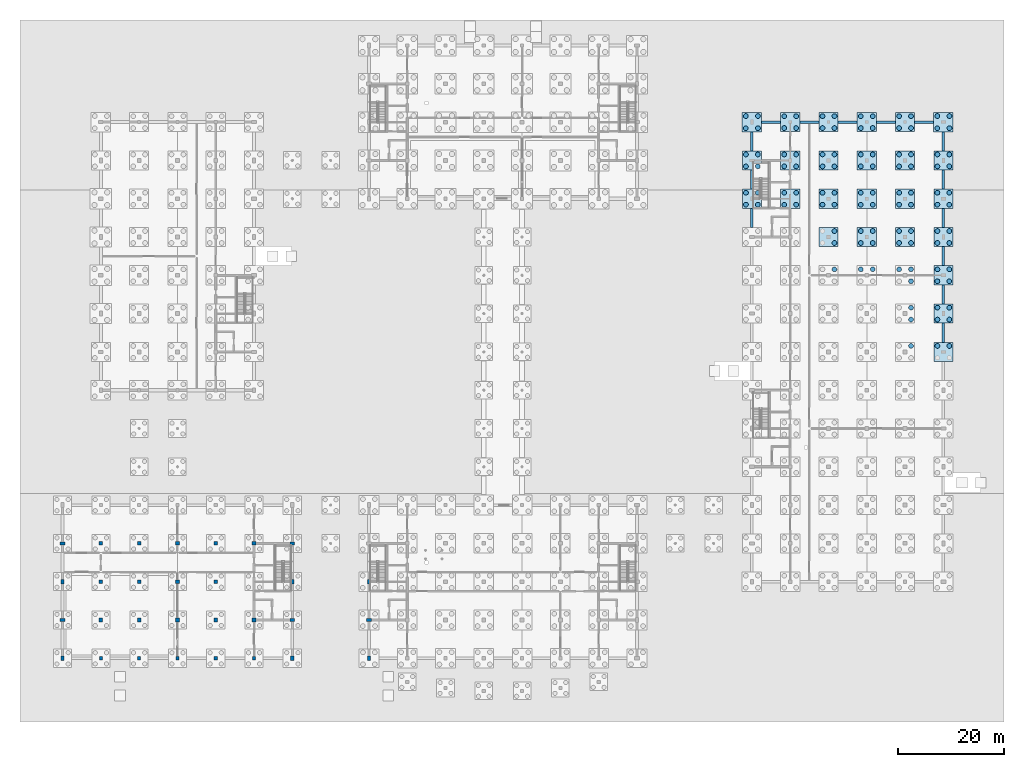
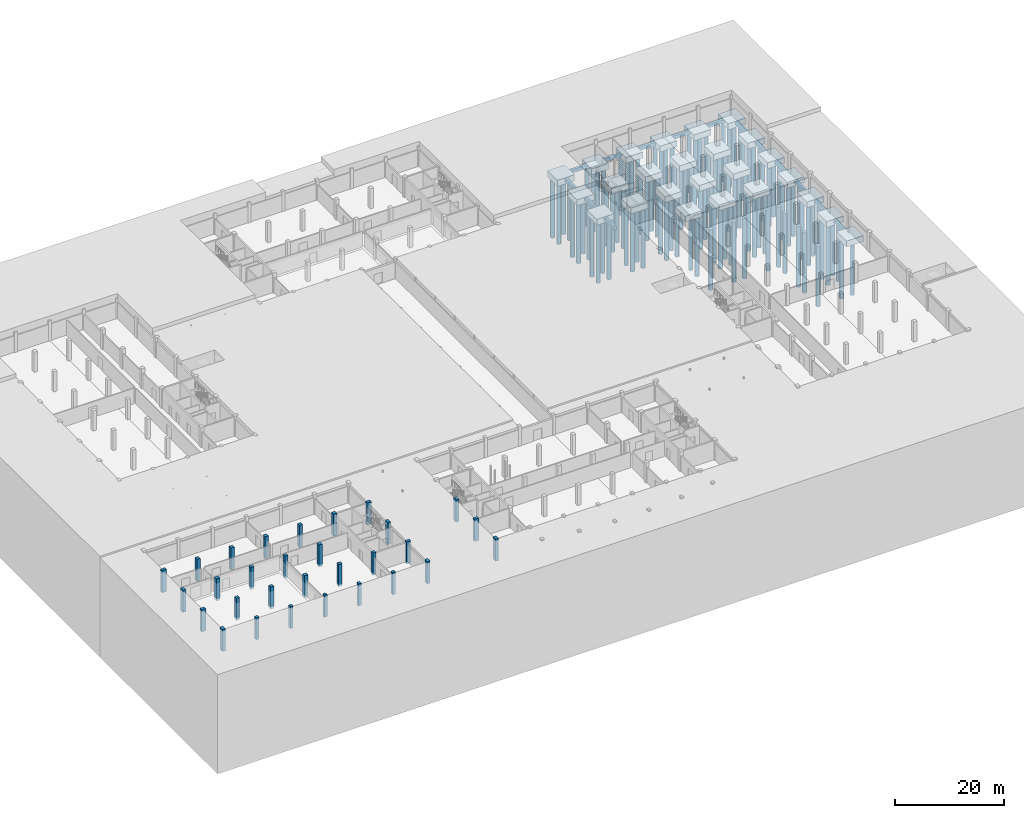
# One storey, part 8 of 51: 105 piles, 39 footings, 30 columns.
"""IFC4 building model written with IfcOpenShell, lengths in metres."""

from ifc_helpers import new_model, si_unit, direction, frame, origin, origin_2d, place, context, subcontext, project, spatial, rectangle, circle, extrude, material, material_profile, profile_set, type_object, element, save


model = new_model("IFC4")

# Units and contexts
model_context = context("Model", 3, precision=1e-05, world=origin(), true_north=direction((0.0, 1.0)))
body_context = subcontext(model_context, "Body", "Model", "MODEL_VIEW")
ifc_project = project(units=[si_unit("LENGTHUNIT", "METRE"), si_unit("AREAUNIT", "SQUARE_METRE"), si_unit("VOLUMEUNIT", "CUBIC_METRE"), si_unit("PLANEANGLEUNIT", "RADIAN"), si_unit("MASSUNIT", "GRAM", prefix="KILO")], contexts=[model_context])

# Site, building, storey
site_placement = place(None, origin())
site = spatial("IfcSite", under=ifc_project, at=site_placement, CompositionType="ELEMENT")
building_placement = place(site_placement, origin())
building = spatial("IfcBuilding", under=site, at=building_placement, Name="Zlatovets Crest Museum", CompositionType="ELEMENT")
storey_placement = place(building_placement, frame((0.0, 0.0, -4.5)))
storey = spatial("IfcBuildingStorey", under=building, at=storey_placement, Name="B1", CompositionType="ELEMENT", Elevation=-4.5)

# Piles
ifc_material = material(Name="Concrete C35/45", Category="concrete")
ifc_material_profile_1 = material_profile(ifc_material, circle(Radius=0.449951171875, at=origin_2d()), Name="PILE D900")
ifc_profile_set_1 = profile_set([ifc_material_profile_1], Name="Concrete C35/45")
pile_type = type_object("IfcPileType", Name="BoredPile_PL-04", PredefinedType="BORED", material=ifc_profile_set_1)
for number, where, z_axis, x_axis, name in (
    (1, (128.47998046875, 85.280029296875, -1.550048828125), (0.0, 0.0, -1.0), (1.0, 0.0, 0.0), "Bored pile PL-04 V5-X00Y10.1"),
    (2, (128.47998046875, 87.52001953125, -1.550048828125), (0.0, 0.0, -1.0), (1.0, 0.0, 0.0), "Bored pile PL-04 V5-X00Y10.2"),
    (3, (130.719970703125, 85.280029296875, -1.550048828125), (0.0, 0.0, -1.0), (1.0, 0.0, 0.0), "Bored pile PL-04 V5-X00Y10.3"),
    (4, (130.719970703125, 87.52001953125, -1.550048828125), (0.0, 0.0, -1.0), (1.0, 0.0, 0.0), "Bored pile PL-04 V5-X00Y10.4"),
    (5, (128.47998046875, 92.47998046875, -1.550048828125), (0.0, 0.0, -1.0), (1.0, 0.0, 0.0), "Bored pile PL-04 V5-X00Y11.1"),
    (6, (128.47998046875, 94.719970703125, -1.550048828125), (0.0, 0.0, -1.0), (1.0, 0.0, 0.0), "Bored pile PL-04 V5-X00Y11.2"),
    (7, (130.719970703125, 92.47998046875, -1.550048828125), (0.0, 0.0, -1.0), (1.0, 0.0, 0.0), "Bored pile PL-04 V5-X00Y11.3"),
    (8, (130.719970703125, 94.719970703125, -1.550048828125), (0.0, 0.0, -1.0), (1.0, 0.0, 0.0), "Bored pile PL-04 V5-X00Y11.4"),
    (9, (128.4599609375, 99.659912109375, -1.60009765625), (0.0, 0.0, -1.0), (1.0, 0.0, 0.0), "Bored pile PL-04 V5-X00Y12.1"),
    (10, (128.4599609375, 101.93994140625, -1.60009765625), (0.0, 0.0, -1.0), (1.0, 0.0, 0.0), "Bored pile PL-04 V5-X00Y12.2"),
    (11, (130.739990234375, 99.659912109375, -1.60009765625), (0.0, 0.0, -1.0), (1.0, 0.0, 0.0), "Bored pile PL-04 V5-X00Y12.3"),
    (12, (130.739990234375, 101.93994140625, -1.60009765625), (0.0, 0.0, -1.0), (1.0, 0.0, 0.0), "Bored pile PL-04 V5-X00Y12.4"),
    (13, (135.679931640625, 85.280029296875, -1.550048828125), (0.0, 0.0, -1.0), (1.0, 0.0, 0.0), "Bored pile PL-04 V5-X01Y10.1"),
    (14, (135.679931640625, 87.52001953125, -1.550048828125), (0.0, 0.0, -1.0), (1.0, 0.0, 0.0), "Bored pile PL-04 V5-X01Y10.2"),
    (15, (137.919921875, 85.280029296875, -1.550048828125), (0.0, 0.0, -1.0), (1.0, 0.0, 0.0), "Bored pile PL-04 V5-X01Y10.3"),
    (16, (137.919921875, 87.52001953125, -1.550048828125), (0.0, 0.0, -1.0), (1.0, 0.0, 0.0), "Bored pile PL-04 V5-X01Y10.4"),
    (17, (135.679931640625, 92.47998046875, -1.550048828125), (0.0, 0.0, -1.0), (1.0, 0.0, 0.0), "Bored pile PL-04 V5-X01Y11.1"),
    (18, (135.679931640625, 94.719970703125, -1.550048828125), (0.0, 0.0, -1.0), (1.0, 0.0, 0.0), "Bored pile PL-04 V5-X01Y11.2"),
    (19, (137.919921875, 92.47998046875, -1.550048828125), (0.0, 0.0, -1.0), (1.0, 0.0, 0.0), "Bored pile PL-04 V5-X01Y11.3"),
    (20, (137.919921875, 94.719970703125, -1.550048828125), (0.0, 0.0, -1.0), (1.0, 0.0, 0.0), "Bored pile PL-04 V5-X01Y11.4"),
    (21, (135.679931640625, 99.679931640625, -1.550048828125), (0.0, 0.0, -1.0), (1.0, 0.0, 0.0), "Bored pile PL-04 V5-X01Y12.1"),
    (22, (135.679931640625, 101.919921875, -1.550048828125), (0.0, 0.0, -1.0), (1.0, 0.0, 0.0), "Bored pile PL-04 V5-X01Y12.2"),
    (23, (137.919921875, 99.679931640625, -1.550048828125), (0.0, 0.0, -1.0), (1.0, 0.0, 0.0), "Bored pile PL-04 V5-X01Y12.3"),
    (24, (137.919921875, 101.919921875, -1.550048828125), (0.0, 0.0, -1.0), (1.0, 0.0, 0.0), "Bored pile PL-04 V5-X01Y12.4"),
    (25, (145.1201171875, 73.1201171875, -1.550048828125), (0.0, 0.0, -1.0), (1.0, 0.0, 0.0), "Bored pile PL-04 V5-X02Y08.4"),
    (26, (145.1201171875, 78.080078125, -1.550048828125), (0.0, 0.0, -1.0), (1.0, 0.0, 0.0), "Bored pile PL-04 V5-X02Y09.3"),
    (27, (145.1201171875, 80.320068359375, -1.550048828125), (0.0, 0.0, -1.0), (1.0, 0.0, 0.0), "Bored pile PL-04 V5-X02Y09.4"),
    (28, (142.8798828125, 85.280029296875, -1.550048828125), (0.0, 0.0, -1.0), (1.0, 0.0, 0.0), "Bored pile PL-04 V5-X02Y10.1"),
    (29, (142.8798828125, 87.52001953125, -1.550048828125), (0.0, 0.0, -1.0), (1.0, 0.0, 0.0), "Bored pile PL-04 V5-X02Y10.2"),
    (30, (145.1201171875, 85.280029296875, -1.550048828125), (0.0, 0.0, -1.0), (1.0, 0.0, 0.0), "Bored pile PL-04 V5-X02Y10.3"),
    (31, (145.1201171875, 87.52001953125, -1.550048828125), (0.0, 0.0, -1.0), (1.0, 0.0, 0.0), "Bored pile PL-04 V5-X02Y10.4"),
    (32, (142.8798828125, 92.47998046875, -1.550048828125), (0.0, 0.0, -1.0), (1.0, 0.0, 0.0), "Bored pile PL-04 V5-X02Y11.1"),
    (33, (142.8798828125, 94.719970703125, -1.550048828125), (0.0, 0.0, -1.0), (1.0, 0.0, 0.0), "Bored pile PL-04 V5-X02Y11.2"),
    (34, (145.1201171875, 92.47998046875, -1.550048828125), (0.0, 0.0, -1.0), (1.0, 0.0, 0.0), "Bored pile PL-04 V5-X02Y11.3"),
    (35, (145.1201171875, 94.719970703125, -1.550048828125), (0.0, 0.0, -1.0), (1.0, 0.0, 0.0), "Bored pile PL-04 V5-X02Y11.4"),
    (36, (142.8798828125, 99.679931640625, -1.550048828125), (0.0, 0.0, -1.0), (1.0, 0.0, 0.0), "Bored pile PL-04 V5-X02Y12.1"),
    (37, (142.8798828125, 101.919921875, -1.550048828125), (0.0, 0.0, -1.0), (1.0, 0.0, 0.0), "Bored pile PL-04 V5-X02Y12.2"),
    (38, (145.1201171875, 99.679931640625, -1.550048828125), (0.0, 0.0, -1.0), (1.0, 0.0, 0.0), "Bored pile PL-04 V5-X02Y12.3"),
    (39, (145.1201171875, 101.919921875, -1.550048828125), (0.0, 0.0, -1.0), (1.0, 0.0, 0.0), "Bored pile PL-04 V5-X02Y12.4"),
    (40, (150.080078125, 73.1201171875, -1.550048828125), (0.0, 0.0, -1.0), (1.0, 0.0, 0.0), "Bored pile PL-04 V5-X03Y08.2"),
    (41, (152.320068359375, 73.1201171875, -1.550048828125), (0.0, 0.0, -1.0), (1.0, 0.0, 0.0), "Bored pile PL-04 V5-X03Y08.4"),
    (42, (150.080078125, 78.080078125, -1.550048828125), (0.0, 0.0, -1.0), (1.0, 0.0, 0.0), "Bored pile PL-04 V5-X03Y09.1"),
    (43, (150.080078125, 80.320068359375, -1.550048828125), (0.0, 0.0, -1.0), (1.0, 0.0, 0.0), "Bored pile PL-04 V5-X03Y09.2"),
    (44, (152.320068359375, 78.080078125, -1.550048828125), (0.0, 0.0, -1.0), (1.0, 0.0, 0.0), "Bored pile PL-04 V5-X03Y09.3"),
    (45, (152.320068359375, 80.320068359375, -1.550048828125), (0.0, 0.0, -1.0), (1.0, 0.0, 0.0), "Bored pile PL-04 V5-X03Y09.4"),
    (46, (150.080078125, 85.280029296875, -1.550048828125), (0.0, 0.0, -1.0), (1.0, 0.0, 0.0), "Bored pile PL-04 V5-X03Y10.1"),
    (47, (150.080078125, 87.52001953125, -1.550048828125), (0.0, 0.0, -1.0), (1.0, 0.0, 0.0), "Bored pile PL-04 V5-X03Y10.2"),
    (48, (152.320068359375, 85.280029296875, -1.550048828125), (0.0, 0.0, -1.0), (1.0, 0.0, 0.0), "Bored pile PL-04 V5-X03Y10.3"),
    (49, (152.320068359375, 87.52001953125, -1.550048828125), (0.0, 0.0, -1.0), (1.0, 0.0, 0.0), "Bored pile PL-04 V5-X03Y10.4"),
    (50, (150.080078125, 92.47998046875, -1.550048828125), (0.0, 0.0, -1.0), (1.0, 0.0, 0.0), "Bored pile PL-04 V5-X03Y11.1"),
    (51, (150.080078125, 94.719970703125, -1.550048828125), (0.0, 0.0, -1.0), (1.0, 0.0, 0.0), "Bored pile PL-04 V5-X03Y11.2"),
    (52, (152.320068359375, 92.47998046875, -1.550048828125), (0.0, 0.0, -1.0), (1.0, 0.0, 0.0), "Bored pile PL-04 V5-X03Y11.3"),
    (53, (152.320068359375, 94.719970703125, -1.550048828125), (0.0, 0.0, -1.0), (1.0, 0.0, 0.0), "Bored pile PL-04 V5-X03Y11.4"),
    (54, (150.080078125, 99.679931640625, -1.550048828125), (0.0, 0.0, -1.0), (1.0, 0.0, 0.0), "Bored pile PL-04 V5-X03Y12.1"),
    (55, (150.080078125, 101.919921875, -1.550048828125), (0.0, 0.0, -1.0), (1.0, 0.0, 0.0), "Bored pile PL-04 V5-X03Y12.2"),
    (56, (152.320068359375, 99.679931640625, -1.550048828125), (0.0, 0.0, -1.0), (1.0, 0.0, 0.0), "Bored pile PL-04 V5-X03Y12.3"),
    (57, (152.320068359375, 101.919921875, -1.550048828125), (0.0, 0.0, -1.0), (1.0, 0.0, 0.0), "Bored pile PL-04 V5-X03Y12.4"),
    (58, (159.52001953125, 58.719970703125, -1.550048828125), (0.0, 0.0, -1.0), (1.0, 0.0, 0.0), "Bored pile PL-04 V5-X04Y06.4"),
    (59, (159.52001953125, 63.679931640625, -1.550048828125), (0.0, 0.0, -1.0), (1.0, 0.0, 0.0), "Bored pile PL-04 V5-X04Y07.3"),
    (60, (159.52001953125, 65.919921875, -1.550048828125), (0.0, 0.0, -1.0), (1.0, 0.0, 0.0), "Bored pile PL-04 V5-X04Y07.4"),
    (61, (157.280029296875, 73.1201171875, -1.550048828125), (0.0, 0.0, -1.0), (1.0, 0.0, 0.0), "Bored pile PL-04 V5-X04Y08.2"),
    (62, (159.52001953125, 70.8798828125, -1.550048828125), (0.0, 0.0, -1.0), (1.0, 0.0, 0.0), "Bored pile PL-04 V5-X04Y08.3"),
    (63, (159.52001953125, 73.1201171875, -1.550048828125), (0.0, 0.0, -1.0), (1.0, 0.0, 0.0), "Bored pile PL-04 V5-X04Y08.4"),
    (64, (157.280029296875, 78.080078125, -1.550048828125), (0.0, 0.0, -1.0), (1.0, 0.0, 0.0), "Bored pile PL-04 V5-X04Y09.1"),
    (65, (157.280029296875, 80.320068359375, -1.550048828125), (0.0, 0.0, -1.0), (1.0, 0.0, 0.0), "Bored pile PL-04 V5-X04Y09.2"),
    (66, (159.52001953125, 78.080078125, -1.550048828125), (0.0, 0.0, -1.0), (1.0, 0.0, 0.0), "Bored pile PL-04 V5-X04Y09.3"),
    (67, (159.52001953125, 80.320068359375, -1.550048828125), (0.0, 0.0, -1.0), (1.0, 0.0, 0.0), "Bored pile PL-04 V5-X04Y09.4"),
    (68, (157.280029296875, 85.280029296875, -1.550048828125), (0.0, 0.0, -1.0), (1.0, 0.0, 0.0), "Bored pile PL-04 V5-X04Y10.1"),
    (69, (157.280029296875, 87.52001953125, -1.550048828125), (0.0, 0.0, -1.0), (1.0, 0.0, 0.0), "Bored pile PL-04 V5-X04Y10.2"),
    (70, (159.52001953125, 85.280029296875, -1.550048828125), (0.0, 0.0, -1.0), (1.0, 0.0, 0.0), "Bored pile PL-04 V5-X04Y10.3"),
    (71, (159.52001953125, 87.52001953125, -1.550048828125), (0.0, 0.0, -1.0), (1.0, 0.0, 0.0), "Bored pile PL-04 V5-X04Y10.4"),
    (72, (157.280029296875, 92.47998046875, -1.550048828125), (0.0, 0.0, -1.0), (1.0, 0.0, 0.0), "Bored pile PL-04 V5-X04Y11.1"),
    (73, (157.280029296875, 94.719970703125, -1.550048828125), (0.0, 0.0, -1.0), (1.0, 0.0, 0.0), "Bored pile PL-04 V5-X04Y11.2"),
    (74, (159.52001953125, 92.47998046875, -1.550048828125), (0.0, 0.0, -1.0), (1.0, 0.0, 0.0), "Bored pile PL-04 V5-X04Y11.3"),
    (75, (159.52001953125, 94.719970703125, -1.550048828125), (0.0, 0.0, -1.0), (1.0, 0.0, 0.0), "Bored pile PL-04 V5-X04Y11.4"),
    (76, (157.280029296875, 99.679931640625, -1.550048828125), (0.0, 0.0, -1.0), (1.0, 0.0, 0.0), "Bored pile PL-04 V5-X04Y12.1"),
    (77, (157.280029296875, 101.919921875, -1.550048828125), (0.0, 0.0, -1.0), (1.0, 0.0, 0.0), "Bored pile PL-04 V5-X04Y12.2"),
    (78, (159.52001953125, 99.679931640625, -1.550048828125), (0.0, 0.0, -1.0), (1.0, 0.0, 0.0), "Bored pile PL-04 V5-X04Y12.3"),
    (79, (159.52001953125, 101.919921875, -1.550048828125), (0.0, 0.0, -1.0), (1.0, 0.0, 0.0), "Bored pile PL-04 V5-X04Y12.4"),
    (80, (164.47998046875, 58.719970703125, -1.550048828125), (0.0, 0.0, -1.0), (1.0, 0.0, 0.0), "Bored pile PL-04 V5-X05Y06.2"),
    (81, (166.719970703125, 58.719970703125, -1.550048828125), (0.0, 0.0, -1.0), (1.0, 0.0, 0.0), "Bored pile PL-04 V5-X05Y06.4"),
    (82, (164.47998046875, 63.679931640625, -1.550048828125), (0.0, 0.0, -1.0), (1.0, 0.0, 0.0), "Bored pile PL-04 V5-X05Y07.1"),
    (83, (164.47998046875, 65.919921875, -1.550048828125), (0.0, 0.0, -1.0), (1.0, 0.0, 0.0), "Bored pile PL-04 V5-X05Y07.2"),
    (84, (166.719970703125, 63.679931640625, -1.550048828125), (0.0, 0.0, -1.0), (1.0, 0.0, 0.0), "Bored pile PL-04 V5-X05Y07.3"),
    (85, (166.719970703125, 65.919921875, -1.550048828125), (0.0, 0.0, -1.0), (1.0, 0.0, 0.0), "Bored pile PL-04 V5-X05Y07.4"),
    (86, (164.47998046875, 70.8798828125, -1.550048828125), (0.0, 0.0, -1.0), (1.0, 0.0, 0.0), "Bored pile PL-04 V5-X05Y08.1"),
    (87, (164.47998046875, 73.1201171875, -1.550048828125), (0.0, 0.0, -1.0), (1.0, 0.0, 0.0), "Bored pile PL-04 V5-X05Y08.2"),
    (88, (166.719970703125, 70.8798828125, -1.550048828125), (0.0, 0.0, -1.0), (1.0, 0.0, 0.0), "Bored pile PL-04 V5-X05Y08.3"),
    (89, (166.719970703125, 73.1201171875, -1.550048828125), (0.0, 0.0, -1.0), (1.0, 0.0, 0.0), "Bored pile PL-04 V5-X05Y08.4"),
    (90, (164.47998046875, 78.080078125, -1.550048828125), (0.0, 0.0, -1.0), (1.0, 0.0, 0.0), "Bored pile PL-04 V5-X05Y09.1"),
    (91, (164.47998046875, 80.320068359375, -1.550048828125), (0.0, 0.0, -1.0), (1.0, 0.0, 0.0), "Bored pile PL-04 V5-X05Y09.2"),
    (92, (166.719970703125, 78.080078125, -1.550048828125), (0.0, 0.0, -1.0), (1.0, 0.0, 0.0), "Bored pile PL-04 V5-X05Y09.3"),
    (93, (166.719970703125, 80.320068359375, -1.550048828125), (0.0, 0.0, -1.0), (1.0, 0.0, 0.0), "Bored pile PL-04 V5-X05Y09.4"),
    (94, (164.47998046875, 85.280029296875, -1.550048828125), (0.0, 0.0, -1.0), (1.0, 0.0, 0.0), "Bored pile PL-04 V5-X05Y10.1"),
    (95, (164.47998046875, 87.52001953125, -1.550048828125), (0.0, 0.0, -1.0), (1.0, 0.0, 0.0), "Bored pile PL-04 V5-X05Y10.2"),
    (96, (166.719970703125, 85.280029296875, -1.550048828125), (0.0, 0.0, -1.0), (1.0, 0.0, 0.0), "Bored pile PL-04 V5-X05Y10.3"),
    (97, (166.719970703125, 87.52001953125, -1.550048828125), (0.0, 0.0, -1.0), (1.0, 0.0, 0.0), "Bored pile PL-04 V5-X05Y10.4"),
    (98, (164.47998046875, 92.47998046875, -1.550048828125), (0.0, 0.0, -1.0), (1.0, 0.0, 0.0), "Bored pile PL-04 V5-X05Y11.1"),
    (99, (164.47998046875, 94.719970703125, -1.550048828125), (0.0, 0.0, -1.0), (1.0, 0.0, 0.0), "Bored pile PL-04 V5-X05Y11.2"),
    (100, (166.719970703125, 92.47998046875, -1.550048828125), (0.0, 0.0, -1.0), (1.0, 0.0, 0.0), "Bored pile PL-04 V5-X05Y11.3"),
    (101, (166.719970703125, 94.719970703125, -1.550048828125), (0.0, 0.0, -1.0), (1.0, 0.0, 0.0), "Bored pile PL-04 V5-X05Y11.4"),
    (102, (164.4599609375, 99.659912109375, -1.60009765625), (0.0, 0.0, -1.0), (1.0, 0.0, 0.0), "Bored pile PL-04 V5-X05Y12.1"),
    (103, (164.4599609375, 101.93994140625, -1.60009765625), (0.0, 0.0, -1.0), (1.0, 0.0, 0.0), "Bored pile PL-04 V5-X05Y12.2"),
    (104, (166.739990234375, 99.659912109375, -1.60009765625), (0.0, 0.0, -1.0), (1.0, 0.0, 0.0), "Bored pile PL-04 V5-X05Y12.3"),
    (105, (166.739990234375, 101.93994140625, -1.60009765625), (0.0, 0.0, -1.0), (1.0, 0.0, 0.0), "Bored pile PL-04 V5-X05Y12.4"),
):
    element("IfcPile", number, at=place(storey_placement, frame(where, z_axis=z_axis, x_axis=x_axis)), inside=storey, type_object=pile_type, Name=name, PredefinedType="BORED", context=body_context, shape_type="SweptSolid", body=[
        extrude(circle(Radius=0.449951171875, at=origin_2d()), origin(), (0.0, 0.0, 1.0), 13.5),
    ])

# Footings
ifc_material_profile_2 = material_profile(ifc_material, rectangle(XDim=0.5, YDim=0.75, at=origin_2d()), Name="RC 500x750")
ifc_profile_set_2 = profile_set([ifc_material_profile_2], Name="Concrete C35/45")
footing_type_1 = type_object("IfcFootingType", Name="GroundBeam_GB-01", PredefinedType="FOOTING_BEAM", material=ifc_profile_set_2)
footing_1_placement = place(storey_placement, frame((131.425048828125, 100.800048828125, -0.824951171875), z_axis=(1.0, 0.0, 0.0), x_axis=(0.0, 1.0, 0.0)))
element("IfcFooting", 106, at=footing_1_placement, inside=storey, type_object=footing_type_1, Name="Ground tie-beam GB-01", PredefinedType="FOOTING_BEAM", context=body_context, shape_type="SweptSolid", body=[
    extrude(rectangle(XDim=0.5, YDim=0.75, at=origin_2d()), origin(), (0.0, 0.0, 1.0), 3.574951171875),
])
for number, where, z_axis, x_axis, name in (
    (107, (138.60009765625, 100.800048828125, -0.824951171875), (1.0, 0.0, 0.0), (0.0, 1.0, 0.0), "Ground tie-beam GB-01"),
    (108, (145.800048828125, 100.800048828125, -0.824951171875), (1.0, 0.0, 0.0), (0.0, 1.0, 0.0), "Ground tie-beam GB-01"),
):
    element("IfcFooting", number, at=place(storey_placement, frame(where, z_axis=z_axis, x_axis=x_axis)), inside=storey, type_object=footing_type_1, Name=name, PredefinedType="FOOTING_BEAM", context=body_context, shape_type="SweptSolid", body=[
        extrude(rectangle(XDim=0.5, YDim=0.75, at=origin_2d()), origin(), (0.0, 0.0, 1.0), 3.599853515625),
    ])
footing_2_placement = place(storey_placement, frame((153.0, 100.800048828125, -0.824951171875), z_axis=(1.0, 0.0, 0.0), x_axis=(0.0, 1.0, 0.0)))
element("IfcFooting", 109, at=footing_2_placement, inside=storey, type_object=footing_type_1, Name="Ground tie-beam GB-01", PredefinedType="FOOTING_BEAM", context=body_context, shape_type="SweptSolid", body=[
    extrude(rectangle(XDim=0.5, YDim=0.75, at=origin_2d()), origin(), (0.0, 0.0, 1.0), 3.60009765625),
])
footing_3_placement = place(storey_placement, frame((160.199951171875, 100.800048828125, -0.824951171875), z_axis=(1.0, 0.0, 0.0), x_axis=(0.0, 1.0, 0.0)))
element("IfcFooting", 110, at=footing_3_placement, inside=storey, type_object=footing_type_1, Name="Ground tie-beam GB-01", PredefinedType="FOOTING_BEAM", context=body_context, shape_type="SweptSolid", body=[
    extrude(rectangle(XDim=0.5, YDim=0.75, at=origin_2d()), origin(), (0.0, 0.0, 1.0), 3.574951171875),
])
for number, where, z_axis, x_axis, name in (
    (111, (129.60009765625, 81.0, -0.824951171875), (0.0, 1.0, 0.0), (-1.0, 0.0, 0.0), "Ground tie-beam GB-01"),
    (112, (129.60009765625, 88.199951171875, -0.824951171875), (0.0, 1.0, 0.0), (-1.0, 0.0, 0.0), "Ground tie-beam GB-01"),
):
    element("IfcFooting", number, at=place(storey_placement, frame(where, z_axis=z_axis, x_axis=x_axis)), inside=storey, type_object=footing_type_1, Name=name, PredefinedType="FOOTING_BEAM", context=body_context, shape_type="SweptSolid", body=[
        extrude(rectangle(XDim=0.5, YDim=0.75, at=origin_2d()), origin(), (0.0, 0.0, 1.0), 3.60009765625),
    ])
footing_4_placement = place(storey_placement, frame((129.60009765625, 95.39990234375, -0.824951171875), z_axis=(0.0, 1.0, 0.0), x_axis=(-1.0, 0.0, 0.0)))
element("IfcFooting", 113, at=footing_4_placement, inside=storey, type_object=footing_type_1, Name="Ground tie-beam GB-01", PredefinedType="FOOTING_BEAM", context=body_context, shape_type="SweptSolid", body=[
    extrude(rectangle(XDim=0.5, YDim=0.75, at=origin_2d()), origin(), (0.0, 0.0, 1.0), 3.5751953125),
])
footing_5_placement = place(storey_placement, frame((165.60009765625, 59.39990234375, -0.824951171875), z_axis=(0.0, 1.0, 0.0), x_axis=(-1.0, 0.0, 0.0)))
element("IfcFooting", 114, at=footing_5_placement, inside=storey, type_object=footing_type_1, Name="Ground tie-beam GB-01", PredefinedType="FOOTING_BEAM", context=body_context, shape_type="SweptSolid", body=[
    extrude(rectangle(XDim=0.5, YDim=0.75, at=origin_2d()), origin(), (0.0, 0.0, 1.0), 3.60009765625),
])
for number, where, z_axis, x_axis, name in (
    (115, (165.60009765625, 66.60009765625, -0.824951171875), (0.0, 1.0, 0.0), (-1.0, 0.0, 0.0), "Ground tie-beam GB-01"),
    (116, (165.60009765625, 73.800048828125, -0.824951171875), (0.0, 1.0, 0.0), (-1.0, 0.0, 0.0), "Ground tie-beam GB-01"),
):
    element("IfcFooting", number, at=place(storey_placement, frame(where, z_axis=z_axis, x_axis=x_axis)), inside=storey, type_object=footing_type_1, Name=name, PredefinedType="FOOTING_BEAM", context=body_context, shape_type="SweptSolid", body=[
        extrude(rectangle(XDim=0.5, YDim=0.75, at=origin_2d()), origin(), (0.0, 0.0, 1.0), 3.599853515625),
    ])
for number, where, z_axis, x_axis, name in (
    (117, (165.60009765625, 81.0, -0.824951171875), (0.0, 1.0, 0.0), (-1.0, 0.0, 0.0), "Ground tie-beam GB-01"),
    (118, (165.60009765625, 88.199951171875, -0.824951171875), (0.0, 1.0, 0.0), (-1.0, 0.0, 0.0), "Ground tie-beam GB-01"),
):
    element("IfcFooting", number, at=place(storey_placement, frame(where, z_axis=z_axis, x_axis=x_axis)), inside=storey, type_object=footing_type_1, Name=name, PredefinedType="FOOTING_BEAM", context=body_context, shape_type="SweptSolid", body=[
        extrude(rectangle(XDim=0.5, YDim=0.75, at=origin_2d()), origin(), (0.0, 0.0, 1.0), 3.60009765625),
    ])
footing_6_placement = place(storey_placement, frame((165.60009765625, 95.39990234375, -0.824951171875), z_axis=(0.0, 1.0, 0.0), x_axis=(-1.0, 0.0, 0.0)))
element("IfcFooting", 119, at=footing_6_placement, inside=storey, type_object=footing_type_1, Name="Ground tie-beam GB-01", PredefinedType="FOOTING_BEAM", context=body_context, shape_type="SweptSolid", body=[
    extrude(rectangle(XDim=0.5, YDim=0.75, at=origin_2d()), origin(), (0.0, 0.0, 1.0), 3.5751953125),
])
footing_type_2 = type_object("IfcFootingType", Name="PileCap_PC-02", PredefinedType="PILE_CAP", material=ifc_material)
for number, where, z_axis, x_axis, name in (
    (120, (129.60009765625, 86.39990234375, -1.75), (0.0, 0.0, 1.0), (1.0, 0.0, 0.0), "Pile cap PC-02 at (129.6, 86.4)"),
    (121, (129.60009765625, 93.60009765625, -1.75), (0.0, 0.0, 1.0), (1.0, 0.0, 0.0), "Pile cap PC-02 at (129.6, 93.6)"),
    (122, (136.800048828125, 86.39990234375, -1.75), (0.0, 0.0, 1.0), (1.0, 0.0, 0.0), "Pile cap PC-02 at (136.8, 86.4)"),
    (123, (136.800048828125, 93.60009765625, -1.75), (0.0, 0.0, 1.0), (1.0, 0.0, 0.0), "Pile cap PC-02 at (136.8, 93.6)"),
    (124, (136.800048828125, 100.800048828125, -1.75), (0.0, 0.0, 1.0), (1.0, 0.0, 0.0), "Pile cap PC-02 at (136.8, 100.8)"),
    (125, (144.0, 79.199951171875, -1.75), (0.0, 0.0, 1.0), (1.0, 0.0, 0.0), "Pile cap PC-02 at (144.0, 79.2)"),
    (126, (144.0, 86.39990234375, -1.75), (0.0, 0.0, 1.0), (1.0, 0.0, 0.0), "Pile cap PC-02 at (144.0, 86.4)"),
    (127, (144.0, 93.60009765625, -1.75), (0.0, 0.0, 1.0), (1.0, 0.0, 0.0), "Pile cap PC-02 at (144.0, 93.6)"),
    (128, (144.0, 100.800048828125, -1.75), (0.0, 0.0, 1.0), (1.0, 0.0, 0.0), "Pile cap PC-02 at (144.0, 100.8)"),
    (129, (151.199951171875, 79.199951171875, -1.75), (0.0, 0.0, 1.0), (1.0, 0.0, 0.0), "Pile cap PC-02 at (151.2, 79.2)"),
    (130, (151.199951171875, 86.39990234375, -1.75), (0.0, 0.0, 1.0), (1.0, 0.0, 0.0), "Pile cap PC-02 at (151.2, 86.4)"),
    (131, (151.199951171875, 93.60009765625, -1.75), (0.0, 0.0, 1.0), (1.0, 0.0, 0.0), "Pile cap PC-02 at (151.2, 93.6)"),
    (132, (151.199951171875, 100.800048828125, -1.75), (0.0, 0.0, 1.0), (1.0, 0.0, 0.0), "Pile cap PC-02 at (151.2, 100.8)"),
    (133, (158.39990234375, 79.199951171875, -1.75), (0.0, 0.0, 1.0), (1.0, 0.0, 0.0), "Pile cap PC-02 at (158.4, 79.2)"),
    (134, (158.39990234375, 86.39990234375, -1.75), (0.0, 0.0, 1.0), (1.0, 0.0, 0.0), "Pile cap PC-02 at (158.4, 86.4)"),
    (135, (158.39990234375, 93.60009765625, -1.75), (0.0, 0.0, 1.0), (1.0, 0.0, 0.0), "Pile cap PC-02 at (158.4, 93.6)"),
    (136, (158.39990234375, 100.800048828125, -1.75), (0.0, 0.0, 1.0), (1.0, 0.0, 0.0), "Pile cap PC-02 at (158.4, 100.8)"),
    (137, (165.60009765625, 57.60009765625, -1.75), (0.0, 0.0, 1.0), (1.0, 0.0, 0.0), "Pile cap PC-02 at (165.6, 57.6)"),
    (138, (165.60009765625, 64.800048828125, -1.75), (0.0, 0.0, 1.0), (1.0, 0.0, 0.0), "Pile cap PC-02 at (165.6, 64.8)"),
    (139, (165.60009765625, 72.0, -1.75), (0.0, 0.0, 1.0), (1.0, 0.0, 0.0), "Pile cap PC-02 at (165.6, 72.0)"),
    (140, (165.60009765625, 79.199951171875, -1.75), (0.0, 0.0, 1.0), (1.0, 0.0, 0.0), "Pile cap PC-02 at (165.6, 79.2)"),
    (141, (165.60009765625, 86.39990234375, -1.75), (0.0, 0.0, 1.0), (1.0, 0.0, 0.0), "Pile cap PC-02 at (165.6, 86.4)"),
    (142, (165.60009765625, 93.60009765625, -1.75), (0.0, 0.0, 1.0), (1.0, 0.0, 0.0), "Pile cap PC-02 at (165.6, 93.6)"),
):
    element("IfcFooting", number, at=place(storey_placement, frame(where, z_axis=z_axis, x_axis=x_axis)), inside=storey, type_object=footing_type_2, Name=name, PredefinedType="PILE_CAP", context=body_context, shape_type="SweptSolid", body=[
        extrude(rectangle(XDim=3.60009765625, YDim=3.60009765625, at=origin_2d()), origin(), (0.0, 0.0, 1.0), 1.300048828125),
    ])
footing_type_3 = type_object("IfcFootingType", Name="PileCap_PC-08", PredefinedType="PILE_CAP", material=ifc_material)
for number, where, z_axis, x_axis, name in (
    (143, (129.60009765625, 100.800048828125, -1.800048828125), (0.0, 0.0, 1.0), (1.0, 0.0, 0.0), "Pile cap PC-08 at (129.6, 100.8)"),
    (144, (165.60009765625, 100.800048828125, -1.800048828125), (0.0, 0.0, 1.0), (1.0, 0.0, 0.0), "Pile cap PC-08 at (165.6, 100.8)"),
):
    element("IfcFooting", number, at=place(storey_placement, frame(where, z_axis=z_axis, x_axis=x_axis)), inside=storey, type_object=footing_type_3, Name=name, PredefinedType="PILE_CAP", context=body_context, shape_type="SweptSolid", body=[
        extrude(rectangle(XDim=3.64990234375, YDim=3.64990234375, at=origin_2d()), origin(), (0.0, 0.0, 1.0), 1.35009765625),
    ])

# Columns
ifc_material_profile_3 = material_profile(ifc_material, rectangle(XDim=0.699951171875, YDim=0.699951171875, at=origin_2d()), Name="RC 700x700")
ifc_profile_set_3 = profile_set([ifc_material_profile_3], Name="Concrete C35/45")
column_type_1 = type_object("IfcColumnType", Name="Col_C-01", PredefinedType="COLUMN", material=ifc_profile_set_3)
for number, where, z_axis, x_axis, name in (
    (145, (7.199951171875, 7.199951171875, -0.449951171875), (0.0, 0.0, 1.0), (1.0, 0.0, 0.0), "V3 B1 Column (7.2, 7.2)"),
    (146, (7.199951171875, 14.39990234375, -0.449951171875), (0.0, 0.0, 1.0), (0.0, 1.0, 0.0), "V3 B1 Column (7.2, 14.4)"),
    (147, (7.199951171875, 21.60009765625, -0.449951171875), (0.0, 0.0, 1.0), (1.0, 0.0, 0.0), "V3 B1 Column (7.2, 21.6)"),
    (148, (14.39990234375, 7.199951171875, -0.449951171875), (0.0, 0.0, 1.0), (0.0, 1.0, 0.0), "V3 B1 Column (14.4, 7.2)"),
    (149, (14.39990234375, 14.39990234375, -0.449951171875), (0.0, 0.0, 1.0), (1.0, 0.0, 0.0), "V3 B1 Column (14.4, 14.4)"),
    (150, (14.39990234375, 21.60009765625, -0.449951171875), (0.0, 0.0, 1.0), (0.0, 1.0, 0.0), "V3 B1 Column (14.4, 21.6)"),
    (151, (21.60009765625, 7.199951171875, -0.449951171875), (0.0, 0.0, 1.0), (1.0, 0.0, 0.0), "V3 B1 Column (21.6, 7.2)"),
    (152, (21.60009765625, 14.39990234375, -0.449951171875), (0.0, 0.0, 1.0), (0.0, 1.0, 0.0), "V3 B1 Column (21.6, 14.4)"),
    (153, (21.60009765625, 21.60009765625, -0.449951171875), (0.0, 0.0, 1.0), (1.0, 0.0, 0.0), "V3 B1 Column (21.6, 21.6)"),
    (154, (28.800048828125, 7.199951171875, -0.449951171875), (0.0, 0.0, 1.0), (0.0, 1.0, 0.0), "V3 B1 Column (28.8, 7.2)"),
    (155, (28.800048828125, 14.39990234375, -0.449951171875), (0.0, 0.0, 1.0), (1.0, 0.0, 0.0), "V3 B1 Column (28.8, 14.4)"),
    (156, (28.800048828125, 21.60009765625, -0.449951171875), (0.0, 0.0, 1.0), (0.0, 1.0, 0.0), "V3 B1 Column (28.8, 21.6)"),
    (157, (36.0, 7.199951171875, -0.449951171875), (0.0, 0.0, 1.0), (1.0, 0.0, 0.0), "V3 B1 Column (36.0, 7.2)"),
    (158, (36.0, 21.60009765625, -0.449951171875), (0.0, 0.0, 1.0), (1.0, 0.0, 0.0), "V3 B1 Column (36.0, 21.6)"),
):
    element("IfcColumn", number, at=place(storey_placement, frame(where, z_axis=z_axis, x_axis=x_axis)), inside=storey, type_object=column_type_1, Name=name, PredefinedType="COLUMN", context=body_context, shape_type="SweptSolid", body=[
        extrude(rectangle(XDim=0.699951171875, YDim=0.699951171875, at=origin_2d()), origin(), (0.0, 0.0, 1.0), 4.949951171875),
    ])
ifc_material_profile_4 = material_profile(ifc_material, rectangle(XDim=0.60009765625, YDim=0.60009765625, at=origin_2d()), Name="RC 600x600")
ifc_profile_set_4 = profile_set([ifc_material_profile_4], Name="Concrete C35/45")
column_type_2 = type_object("IfcColumnType", Name="Col_C-02", PredefinedType="COLUMN", material=ifc_profile_set_4)
for number, where, z_axis, x_axis, name in (
    (159, (7.199951171875, 0.0, -0.449951171875), (0.0, 0.0, 1.0), (0.0, 1.0, 0.0), "V3 B1 Column (7.2, 0.0)"),
    (160, (14.39990234375, 0.0, -0.449951171875), (0.0, 0.0, 1.0), (1.0, 0.0, 0.0), "V3 B1 Column (14.4, 0.0)"),
    (161, (21.60009765625, 0.0, -0.449951171875), (0.0, 0.0, 1.0), (0.0, 1.0, 0.0), "V3 B1 Column (21.6, 0.0)"),
    (162, (28.800048828125, 0.0, -0.449951171875), (0.0, 0.0, 1.0), (1.0, 0.0, 0.0), "V3 B1 Column (28.8, 0.0)"),
    (163, (36.0, 0.0, -0.449951171875), (0.0, 0.0, 1.0), (0.0, 1.0, 0.0), "V3 B1 Column (36.0, 0.0)"),
):
    element("IfcColumn", number, at=place(storey_placement, frame(where, z_axis=z_axis, x_axis=x_axis)), inside=storey, type_object=column_type_2, Name=name, PredefinedType="COLUMN", context=body_context, shape_type="SweptSolid", body=[
        extrude(rectangle(XDim=0.60009765625, YDim=0.60009765625, at=origin_2d()), origin(), (0.0, 0.0, 1.0), 4.949951171875),
    ])
ifc_material_profile_5 = material_profile(ifc_material, rectangle(XDim=0.60009765625, YDim=0.89990234375, at=origin_2d()), Name="RC 600x900")
ifc_profile_set_5 = profile_set([ifc_material_profile_5], Name="Concrete C35/45")
column_type_3 = type_object("IfcColumnType", Name="Col_C-03", PredefinedType="PILASTER", material=ifc_profile_set_5)
for number, where, z_axis, x_axis, name in (
    (164, (57.60009765625, 0.0, -0.449951171875), (0.0, 0.0, 1.0), (1.0, 0.0, 0.0), "V2 B1 Column (57.6, 0.0)"),
    (165, (57.60009765625, 7.199951171875, -0.449951171875), (0.0, 0.0, 1.0), (0.0, 1.0, 0.0), "V2 B1 Column (57.6, 7.2)"),
    (166, (57.60009765625, 14.39990234375, -0.449951171875), (0.0, 0.0, 1.0), (1.0, 0.0, 0.0), "V2 B1 Column (57.6, 14.4)"),
    (167, (0.0, 0.0, -0.449951171875), (0.0, 0.0, 1.0), (1.0, 0.0, 0.0), "V3 B1 Column (0.0, 0.0)"),
    (168, (0.0, 7.199951171875, -0.449951171875), (0.0, 0.0, 1.0), (0.0, 1.0, 0.0), "V3 B1 Column (0.0, 7.2)"),
    (169, (0.0, 14.39990234375, -0.449951171875), (0.0, 0.0, 1.0), (1.0, 0.0, 0.0), "V3 B1 Column (0.0, 14.4)"),
    (170, (0.0, 21.60009765625, -0.449951171875), (0.0, 0.0, 1.0), (0.0, 1.0, 0.0), "V3 B1 Column (0.0, 21.6)"),
    (171, (43.199951171875, 0.0, -0.449951171875), (0.0, 0.0, 1.0), (1.0, 0.0, 0.0), "V3 B1 Column (43.2, 0.0)"),
    (172, (43.199951171875, 7.199951171875, -0.449951171875), (0.0, 0.0, 1.0), (0.0, 1.0, 0.0), "V3 B1 Column (43.2, 7.2)"),
    (173, (43.199951171875, 14.39990234375, -0.449951171875), (0.0, 0.0, 1.0), (1.0, 0.0, 0.0), "V3 B1 Column (43.2, 14.4)"),
    (174, (43.199951171875, 21.60009765625, -0.449951171875), (0.0, 0.0, 1.0), (0.0, 1.0, 0.0), "V3 B1 Column (43.2, 21.6)"),
):
    element("IfcColumn", number, at=place(storey_placement, frame(where, z_axis=z_axis, x_axis=x_axis)), inside=storey, type_object=column_type_3, Name=name, PredefinedType="PILASTER", context=body_context, shape_type="SweptSolid", body=[
        extrude(rectangle(XDim=0.60009765625, YDim=0.89990234375, at=origin_2d()), origin(), (0.0, 0.0, 1.0), 4.949951171875),
    ])

save(model, "model.ifc")
